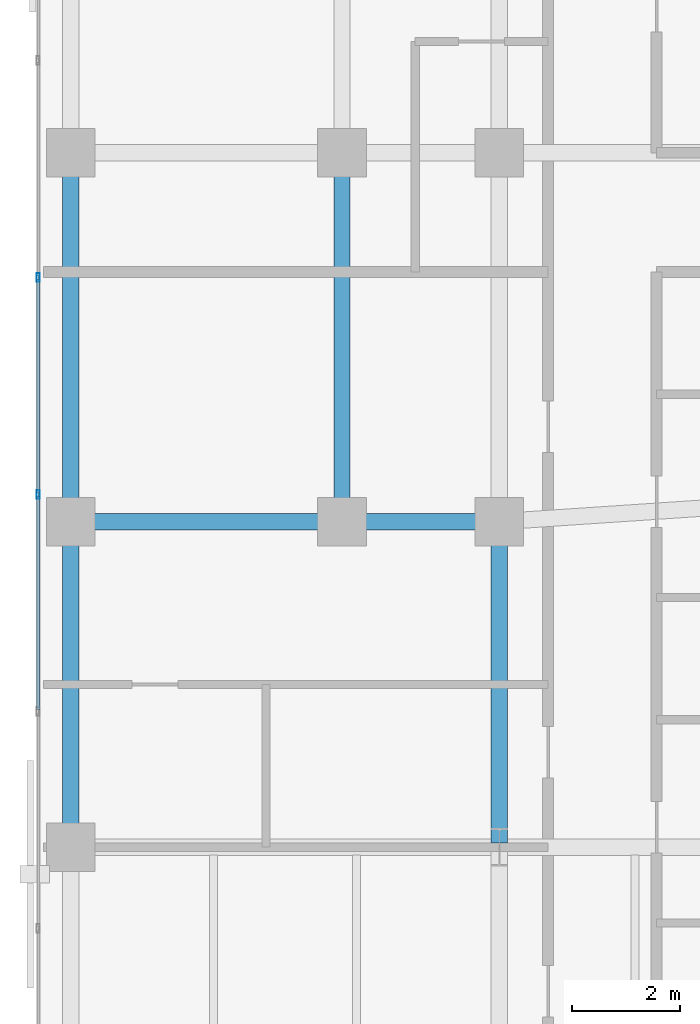
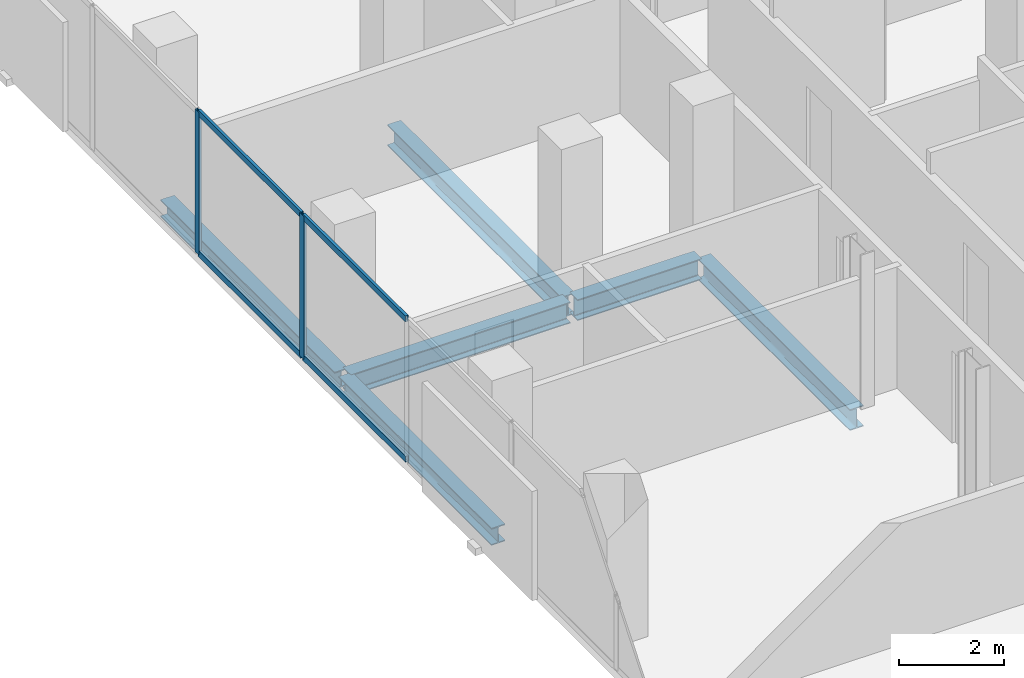
# One storey, part 9 of 34: 6 beams, 6 members, 1 element without a shape of its own.
"""IFC4 building model written with IfcOpenShell, lengths in metres."""

from ifc_helpers import new_model, si_unit, direction, frame, origin, origin_2d, place, context, subcontext, project, spatial, hollow_rectangle, i_section, extrude, material, layer, layer_set, material_profile, profile_set, type_object, element, aggregate, save


model = new_model("IFC4")

# Units and contexts
model_context = context("Model", 3, precision=1e-05, world=origin(), true_north=direction((0.0, 1.0)))
body_context = subcontext(model_context, "Body", "Model", "MODEL_VIEW")
ifc_project = project(units=[si_unit("LENGTHUNIT", "METRE"), si_unit("AREAUNIT", "SQUARE_METRE"), si_unit("VOLUMEUNIT", "CUBIC_METRE"), si_unit("PLANEANGLEUNIT", "RADIAN"), si_unit("MASSUNIT", "GRAM", prefix="KILO")], contexts=[model_context])

# Site, building, storey
site_placement = place(None, origin())
site = spatial("IfcSite", under=ifc_project, at=site_placement, CompositionType="ELEMENT")
building_placement = place(site_placement, origin())
building = spatial("IfcBuilding", under=site, at=building_placement, Name="Catumbela Crestline Tower", CompositionType="ELEMENT")
storey_placement = place(building_placement, frame((0.0, 0.0, 93.6)))
storey = spatial("IfcBuildingStorey", under=building, at=storey_placement, Name="L23", CompositionType="ELEMENT", Elevation=93.6)

# Beams
ifc_material_1 = material(Name="Structural steel S355J2", Category="steel")
ifc_material_profile_1 = material_profile(ifc_material_1, i_section(OverallWidth=0.3, OverallDepth=0.49, WebThickness=0.012, FlangeThickness=0.023, FilletRadius=0.027, at=origin_2d()), Name="HEA 500")
ifc_profile_set_1 = profile_set([ifc_material_profile_1], Name="Structural steel S355J2")
beam_type_1 = type_object("IfcBeamType", Name="BG-HEA500", PredefinedType="BEAM", material=ifc_profile_set_1)
beam_1_placement = place(storey_placement, frame((0.68, 24.0, -0.505), z_axis=(1.0, 0.0, 0.0), x_axis=(0.0, 1.0, 0.0)))
element("IfcBeam", 1, at=beam_1_placement, inside=storey, type_object=beam_type_1, Name="L23 Beam BM-L23-S01", PredefinedType="BEAM", context=body_context, shape_type="SweptSolid", body=[
    extrude(i_section(OverallWidth=0.3, OverallDepth=0.49, WebThickness=0.012, FlangeThickness=0.023, FilletRadius=0.027, at=origin_2d()), origin(), (0.0, 0.0, 1.0), 4.84),
])
beam_2_placement = place(storey_placement, frame((5.68, 24.0, -0.505), z_axis=(1.0, 0.0, 0.0), x_axis=(0.0, 1.0, 0.0)))
element("IfcBeam", 2, at=beam_2_placement, inside=storey, type_object=beam_type_1, Name="L23 Beam BM-L23-S02", PredefinedType="BEAM", context=body_context, shape_type="SweptSolid", body=[
    extrude(i_section(OverallWidth=0.3, OverallDepth=0.49, WebThickness=0.012, FlangeThickness=0.023, FilletRadius=0.027, at=origin_2d()), origin(), (0.0, 0.0, 1.0), 2.74),
])
beam_3_placement = place(storey_placement, frame((5.6, 24.08, -0.505), z_axis=(0.0, 1.0, 0.0), x_axis=(-1.0, 0.0, 0.0)))
element("IfcBeam", 3, at=beam_3_placement, inside=storey, type_object=beam_type_1, Name="L23 Beam BM-L23-SN24", PredefinedType="BEAM", context=body_context, shape_type="SweptSolid", body=[
    extrude(i_section(OverallWidth=0.3, OverallDepth=0.49, WebThickness=0.012, FlangeThickness=0.023, FilletRadius=0.027, at=origin_2d()), origin(), (0.0, 0.0, 1.0), 6.64),
])
beam_4_placement = place(storey_placement, frame((8.5, 18.08, -0.505), z_axis=(0.0, 1.0, 0.0), x_axis=(-1.0, 0.0, 0.0)))
element("IfcBeam", 4, at=beam_4_placement, inside=storey, type_object=beam_type_1, Name="L23 Beam BM-L23-WNS57", PredefinedType="BEAM", context=body_context, shape_type="SweptSolid", body=[
    extrude(i_section(OverallWidth=0.3, OverallDepth=0.49, WebThickness=0.012, FlangeThickness=0.023, FilletRadius=0.027, at=origin_2d()), origin(), (0.0, 0.0, 1.0), 5.84),
])

# Curtain wall, members
ifc_material_2 = material(Name="Aluminium alloy AW-6060-T66", Category="aluminium")
ifc_layer = layer(ifc_material_2, 0.18, Name="Aluminium alloy AW-6060-T66")
ifc_layer_set = layer_set([ifc_layer], Name="Aluminium alloy AW-6060-T66")
curtain_wall_type = type_object("IfcCurtainWallType", Name="CWU-Z2", PredefinedType="USERDEFINED", material=ifc_layer_set)
curtain_wall_placement = place(storey_placement, origin())
curtain_wall = element("IfcCurtainWall", 5, at=curtain_wall_placement, inside=storey, type_object=curtain_wall_type, Name="L23 Unitised Curtain Wall CW-L23-E9S1", ObjectType="UNITISED", PredefinedType="USERDEFINED")
ifc_material_profile_2 = material_profile(ifc_material_2, hollow_rectangle(XDim=0.06, YDim=0.16, WallThickness=0.004, at=origin_2d()), Name="ALU 160x60x4")
ifc_profile_set_2 = profile_set([ifc_material_profile_2], Name="Aluminium alloy AW-6060-T66")
member_type_1 = type_object("IfcMemberType", Name="MUL-160X60", PredefinedType="MULLION", material=ifc_profile_set_2)
member_1_placement = place(storey_placement, frame((0.0, 28.5, 0.0), z_axis=(0.0, 0.0, 1.0), x_axis=(1.0, 0.0, 0.0)))
member_1 = element("IfcMember", 6, at=member_1_placement, type_object=member_type_1, Name="CWU-Z2 mullion 5", PredefinedType="MULLION", context=body_context, shape_type="SweptSolid", body=[
    extrude(hollow_rectangle(XDim=0.06, YDim=0.16, WallThickness=0.004, at=origin_2d()), origin(), (0.0, 0.0, 1.0), 3.33),
])
member_2_placement = place(storey_placement, frame((0.0, 24.5, 0.0), z_axis=(0.0, 0.0, 1.0), x_axis=(1.0, 0.0, 0.0)))
member_2 = element("IfcMember", 7, at=member_2_placement, type_object=member_type_1, Name="CWU-Z2 mullion 6", PredefinedType="MULLION", context=body_context, shape_type="SweptSolid", body=[
    extrude(hollow_rectangle(XDim=0.06, YDim=0.16, WallThickness=0.004, at=origin_2d()), origin(), (0.0, 0.0, 1.0), 3.33),
])

# Beams
ifc_material_profile_3 = material_profile(ifc_material_1, i_section(OverallWidth=0.3, OverallDepth=0.4, WebThickness=0.0135, FlangeThickness=0.024, FilletRadius=0.027, at=origin_2d()), Name="HEB 400")
ifc_profile_set_3 = profile_set([ifc_material_profile_3], Name="Structural steel S355J2")
beam_type_2 = type_object("IfcBeamType", Name="BS-HEB400", PredefinedType="SPANDREL", material=ifc_profile_set_3)
beam_5_placement = place(storey_placement, frame((0.6, 24.08, -0.46), z_axis=(0.0, 1.0, 0.0), x_axis=(-1.0, 0.0, 0.0)))
element("IfcBeam", 8, at=beam_5_placement, inside=storey, type_object=beam_type_2, Name="L23 Spandrel SP-L23-SN22", PredefinedType="SPANDREL", context=body_context, shape_type="SweptSolid", body=[
    extrude(i_section(OverallWidth=0.3, OverallDepth=0.4, WebThickness=0.0135, FlangeThickness=0.024, FilletRadius=0.027, at=origin_2d()), origin(), (0.0, 0.0, 1.0), 6.64),
])
beam_6_placement = place(storey_placement, frame((0.6, 18.08, -0.46), z_axis=(0.0, 1.0, 0.0), x_axis=(-1.0, 0.0, 0.0)))
element("IfcBeam", 9, at=beam_6_placement, inside=storey, type_object=beam_type_2, Name="L23 Spandrel SP-L23-WNS54", PredefinedType="SPANDREL", context=body_context, shape_type="SweptSolid", body=[
    extrude(i_section(OverallWidth=0.3, OverallDepth=0.4, WebThickness=0.0135, FlangeThickness=0.024, FilletRadius=0.027, at=origin_2d()), origin(), (0.0, 0.0, 1.0), 5.84),
])

# Member
ifc_material_profile_4 = material_profile(ifc_material_2, hollow_rectangle(XDim=0.06, YDim=0.14, WallThickness=0.004, at=origin_2d()), Name="ALU 140x60x4")
ifc_profile_set_4 = profile_set([ifc_material_profile_4], Name="Aluminium alloy AW-6060-T66")
member_type_2 = type_object("IfcMemberType", Name="TRN-140X60", PredefinedType="USERDEFINED", material=ifc_profile_set_4)
member_3_placement = place(storey_placement, frame((0.0, 28.4675, 0.03), z_axis=(0.0, -1.0, 0.0), x_axis=(1.0, 0.0, 0.0)))
member_3 = element("IfcMember", 10, at=member_3_placement, type_object=member_type_2, Name="CWU-Z2 transom 5.1", ObjectType="TRANSOM", PredefinedType="USERDEFINED", context=body_context, shape_type="SweptSolid", body=[
    extrude(hollow_rectangle(XDim=0.06, YDim=0.14, WallThickness=0.004, at=origin_2d()), origin(), (0.0, 0.0, 1.0), 3.935),
])

member_4_placement = place(storey_placement, frame((0.0, 28.4675, 3.3), z_axis=(0.0, -1.0, 0.0), x_axis=(1.0, 0.0, 0.0)))
member_4 = element("IfcMember", 11, at=member_4_placement, type_object=member_type_2, Name="CWU-Z2 transom 5.2", ObjectType="TRANSOM", PredefinedType="USERDEFINED", context=body_context, shape_type="SweptSolid", body=[
    extrude(hollow_rectangle(XDim=0.06, YDim=0.14, WallThickness=0.004, at=origin_2d()), origin(), (0.0, 0.0, 1.0), 3.935),
])

member_5_placement = place(storey_placement, frame((0.0, 24.4675, 0.03), z_axis=(0.0, -1.0, 0.0), x_axis=(1.0, 0.0, 0.0)))
member_5 = element("IfcMember", 12, at=member_5_placement, type_object=member_type_2, Name="CWU-Z2 transom 6.1", ObjectType="TRANSOM", PredefinedType="USERDEFINED", context=body_context, shape_type="SweptSolid", body=[
    extrude(hollow_rectangle(XDim=0.06, YDim=0.14, WallThickness=0.004, at=origin_2d()), origin(), (0.0, 0.0, 1.0), 3.935),
])

member_6_placement = place(storey_placement, frame((0.0, 24.4675, 3.3), z_axis=(0.0, -1.0, 0.0), x_axis=(1.0, 0.0, 0.0)))
member_6 = element("IfcMember", 13, at=member_6_placement, type_object=member_type_2, Name="CWU-Z2 transom 6.2", ObjectType="TRANSOM", PredefinedType="USERDEFINED", context=body_context, shape_type="SweptSolid", body=[
    extrude(hollow_rectangle(XDim=0.06, YDim=0.14, WallThickness=0.004, at=origin_2d()), origin(), (0.0, 0.0, 1.0), 3.935),
])

aggregate(curtain_wall, [member_1, member_2, member_3, member_4, member_5, member_6])

save(model, "model.ifc")
